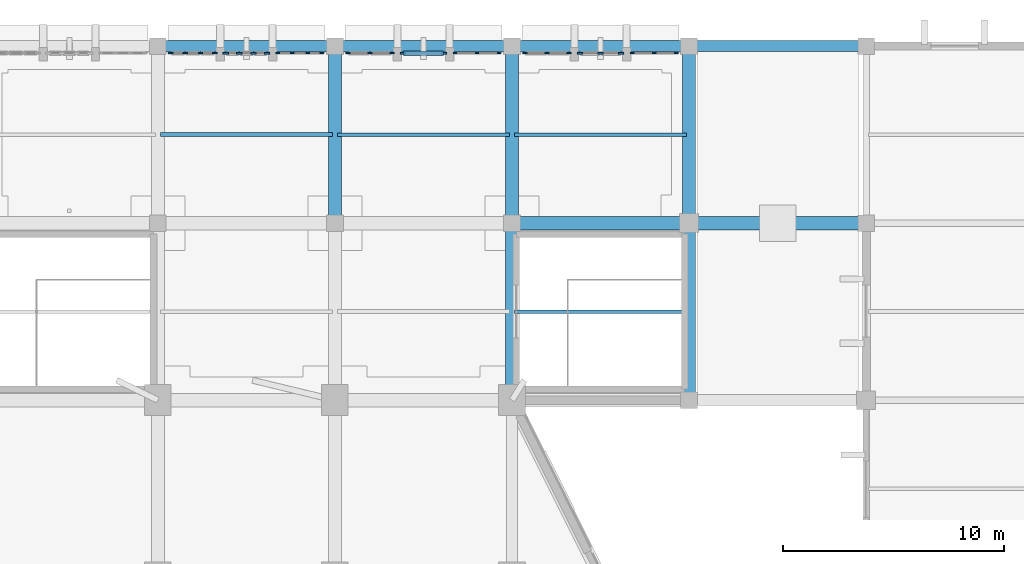
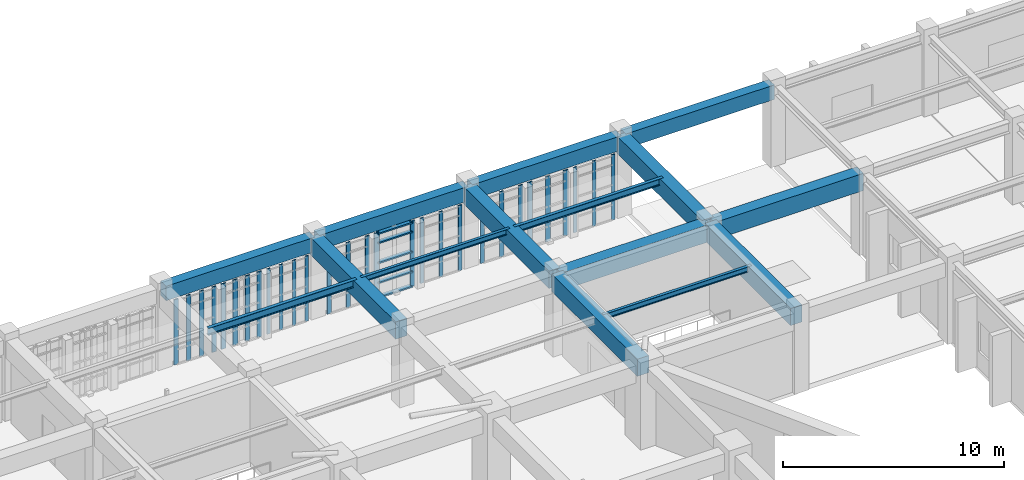
# One storey, part 33 of 155: 34 members, 15 beams, 9 elements without a shape of their own.
"""IFC4 building model written with IfcOpenShell, lengths in metres."""

from ifc_helpers import new_model, si_unit, direction, frame, origin, origin_2d, place, context, subcontext, project, spatial, rectangle, i_section, extrude, material, layer, layer_set, material_profile, profile_set, type_object, element, aggregate, save


model = new_model("IFC4")

# Units and contexts
model_context = context("Model", 3, precision=1e-05, world=origin(), true_north=direction((0.0, 1.0)))
body_context = subcontext(model_context, "Body", "Model", "MODEL_VIEW")
ifc_project = project(units=[si_unit("LENGTHUNIT", "METRE"), si_unit("AREAUNIT", "SQUARE_METRE"), si_unit("VOLUMEUNIT", "CUBIC_METRE"), si_unit("PLANEANGLEUNIT", "RADIAN"), si_unit("MASSUNIT", "GRAM", prefix="KILO")], contexts=[model_context])

# Site, building, storey
site_placement = place(None, origin())
site = spatial("IfcSite", under=ifc_project, at=site_placement, CompositionType="ELEMENT")
building_placement = place(site_placement, origin())
building = spatial("IfcBuilding", under=site, at=building_placement, Name="Tazarka Park Arena", CompositionType="ELEMENT")
storey_placement = place(building_placement, frame((0.0, 0.0, 5.39990234375)))
storey = spatial("IfcBuildingStorey", under=building, at=storey_placement, Name="L01", CompositionType="ELEMENT", Elevation=5.39990234375)

# Beams
ifc_material_1 = material(Name="Concrete C40/50", Category="concrete")
ifc_material_profile_1 = material_profile(ifc_material_1, rectangle(XDim=0.60009765625, YDim=0.949951171875, at=origin_2d()), Name="Concrete C40/50")
ifc_profile_set_1 = profile_set([ifc_material_profile_1], Name="Concrete C40/50")
beam_type_1 = type_object("IfcBeamType", Name="BM-B-03", PredefinedType="BEAM", material=ifc_profile_set_1)
for number, where, z_axis, x_axis, name in (
    (1, (104.0, 120.1201171875, 3.945068359375), (0.0, 1.0, 0.0), (-1.0, 0.0, 0.0), "GYM-L01-13-15"),
    (2, (112.0, 112.1201171875, 3.945068359375), (0.0, 1.0, 0.0), (-1.0, 0.0, 0.0), "GYM-L01-14-14"),
    (3, (112.1201171875, 120.0, 3.945068359375), (1.0, 0.0, 0.0), (0.0, 1.0, 0.0), "GXM-L01-14-15"),
    (4, (112.0, 120.1201171875, 3.945068359375), (0.0, 1.0, 0.0), (-1.0, 0.0, 0.0), "GYM-L01-14-15"),
    (5, (120.0, 112.1201171875, 3.945068359375), (0.0, 1.0, 0.0), (-1.0, 0.0, 0.0), "GYM-L01-15-14"),
    (6, (120.1201171875, 120.0, 3.945068359375), (1.0, 0.0, 0.0), (0.0, 1.0, 0.0), "GXM-L01-15-15"),
    (7, (120.0, 120.1201171875, 3.945068359375), (0.0, 1.0, 0.0), (-1.0, 0.0, 0.0), "GYM-L01-15-15"),
):
    element("IfcBeam", number, at=place(storey_placement, frame(where, z_axis=z_axis, x_axis=x_axis)), inside=storey, type_object=beam_type_1, Name=name, PredefinedType="BEAM", context=body_context, shape_type="SweptSolid", body=[
        extrude(rectangle(XDim=0.60009765625, YDim=0.949951171875, at=origin_2d()), origin(), (0.0, 0.0, 1.0), 7.759765625),
    ])
ifc_material_2 = material(Name="Steel S355", Category="steel")
ifc_material_profile_2 = material_profile(ifc_material_2, i_section(OverallWidth=0.14990234375, OverallDepth=0.300048828125, WebThickness=0.007080078125, FlangeThickness=0.0107421875, FilletRadius=0.014892578125, at=origin_2d()), Name="Steel S355")
ifc_profile_set_2 = profile_set([ifc_material_profile_2], Name="Steel S355")
beam_type_2 = type_object("IfcBeamType", Name="BM-J-01", PredefinedType="JOIST", material=ifc_profile_set_2)
for number, where, z_axis, x_axis, name in (
    (8, (104.1201171875, 124.0, 4.27001953125), (1.0, 0.0, 0.0), (0.0, 1.0, 0.0), "JST-L01-13-15"),
    (9, (112.1201171875, 116.0, 4.27001953125), (1.0, 0.0, 0.0), (0.0, 1.0, 0.0), "JST-L01-14-14"),
):
    element("IfcBeam", number, at=place(storey_placement, frame(where, z_axis=z_axis, x_axis=x_axis)), inside=storey, type_object=beam_type_2, Name=name, PredefinedType="JOIST", context=body_context, shape_type="SweptSolid", body=[
        extrude(i_section(OverallWidth=0.14990234375, OverallDepth=0.300048828125, WebThickness=0.007080078125, FlangeThickness=0.0107421875, FilletRadius=0.014892578125, at=origin_2d()), origin(), (0.0, 0.0, 1.0), 7.759765625),
    ])
ifc_material_3 = material(Name="Steel S355", Category="steel")
ifc_material_profile_3 = material_profile(ifc_material_3, i_section(OverallWidth=0.169921875, OverallDepth=0.360107421875, WebThickness=0.008056640625, FlangeThickness=0.0126953125, FilletRadius=0.01806640625, at=origin_2d()), Name="Steel S355")
ifc_profile_set_3 = profile_set([ifc_material_profile_3], Name="Steel S355")
beam_type_3 = type_object("IfcBeamType", Name="BM-J-02", PredefinedType="JOIST", material=ifc_profile_set_3)
beam_1_placement = place(storey_placement, frame((112.1201171875, 124.0, 4.239990234375), z_axis=(1.0, 0.0, 0.0), x_axis=(0.0, 1.0, 0.0)))
element("IfcBeam", 10, at=beam_1_placement, inside=storey, type_object=beam_type_3, Name="JST-L01-14-15", PredefinedType="JOIST", context=body_context, shape_type="SweptSolid", body=[
    extrude(i_section(OverallWidth=0.169921875, OverallDepth=0.360107421875, WebThickness=0.008056640625, FlangeThickness=0.0126953125, FilletRadius=0.01806640625, at=origin_2d()), origin(), (0.0, 0.0, 1.0), 7.759765625),
])
ifc_material_4 = material(Name="Steel S355", Category="steel")
ifc_material_profile_4 = material_profile(ifc_material_4, i_section(OverallWidth=0.179931640625, OverallDepth=0.39990234375, WebThickness=0.008544921875, FlangeThickness=0.013427734375, FilletRadius=0.02099609375, at=origin_2d()), Name="Steel S355")
ifc_profile_set_4 = profile_set([ifc_material_profile_4], Name="Steel S355")
beam_type_4 = type_object("IfcBeamType", Name="BM-J-03", PredefinedType="JOIST", material=ifc_profile_set_4)
beam_2_placement = place(storey_placement, frame((96.1201171875, 124.0, 4.22021484375), z_axis=(1.0, 0.0, 0.0), x_axis=(0.0, 1.0, 0.0)))
element("IfcBeam", 11, at=beam_2_placement, inside=storey, type_object=beam_type_4, Name="JST-L01-12-15", PredefinedType="JOIST", context=body_context, shape_type="SweptSolid", body=[
    extrude(i_section(OverallWidth=0.179931640625, OverallDepth=0.39990234375, WebThickness=0.008544921875, FlangeThickness=0.013427734375, FilletRadius=0.02099609375, at=origin_2d()), origin(), (0.0, 0.0, 1.0), 7.759765625),
])
ifc_material_5 = material(Name="Concrete C40/50", Category="concrete")
ifc_material_profile_5 = material_profile(ifc_material_5, rectangle(XDim=0.5, YDim=0.800048828125, at=origin_2d()), Name="Concrete C40/50")
ifc_profile_set_5 = profile_set([ifc_material_profile_5], Name="Concrete C40/50")
beam_type_5 = type_object("IfcBeamType", Name="BM-SP-01", PredefinedType="SPANDREL", material=ifc_profile_set_5)
for number, where, z_axis, x_axis, name in (
    (12, (96.1201171875, 128.0, 4.02001953125), (1.0, 0.0, 0.0), (0.0, 1.0, 0.0), "GXM-L01-12-16"),
    (13, (104.1201171875, 128.0, 4.02001953125), (1.0, 0.0, 0.0), (0.0, 1.0, 0.0), "GXM-L01-13-16"),
    (14, (112.1201171875, 128.0, 4.02001953125), (1.0, 0.0, 0.0), (0.0, 1.0, 0.0), "GXM-L01-14-16"),
    (15, (120.1201171875, 128.0, 4.02001953125), (1.0, 0.0, 0.0), (0.0, 1.0, 0.0), "GXM-L01-15-16"),
):
    element("IfcBeam", number, at=place(storey_placement, frame(where, z_axis=z_axis, x_axis=x_axis)), inside=storey, type_object=beam_type_5, Name=name, PredefinedType="SPANDREL", context=body_context, shape_type="SweptSolid", body=[
        extrude(rectangle(XDim=0.5, YDim=0.800048828125, at=origin_2d()), origin(), (0.0, 0.0, 1.0), 7.759765625),
    ])

# Curtain wall, members
ifc_material_6 = material(Name="Aluminium and low-e glass", Category="aluminium")
ifc_layer_1 = layer(ifc_material_6, 0.179931640625, Name="Aluminium and low-e glass")
ifc_layer_set_1 = layer_set([ifc_layer_1], Name="Aluminium and low-e glass")
curtain_wall_type_1 = type_object("IfcCurtainWallType", Name="CW-27", PredefinedType="NOTDEFINED", material=ifc_layer_set_1)
curtain_wall_1_placement = place(storey_placement, origin())
curtain_wall_1 = element("IfcCurtainWall", 16, at=curtain_wall_1_placement, inside=storey, type_object=curtain_wall_type_1, Name="Curtain Wall CWA-L01-027", PredefinedType="NOTDEFINED")
ifc_material_7 = material(Name="Aluminium 6060-T66", Category="aluminium")
ifc_material_profile_6 = material_profile(ifc_material_7, rectangle(XDim=0.06494140625, YDim=0.179931640625, at=origin_2d()), Name="Aluminium 6060-T66")
ifc_profile_set_6 = profile_set([ifc_material_profile_6], Name="Aluminium 6060-T66")
member_type_1 = type_object("IfcMemberType", Name="CWM-01", PredefinedType="MULLION", material=ifc_profile_set_6)
member_1_placement = place(storey_placement, frame((117.42431640625, 127.679931640625, 0.0), z_axis=(0.0, 0.0, 1.0), x_axis=(0.0, 1.0, 0.0)))
member_1 = element("IfcMember", 17, at=member_1_placement, type_object=member_type_1, Name="CW-27 mullion 1", PredefinedType="MULLION", context=body_context, shape_type="SweptSolid", body=[
    extrude(rectangle(XDim=0.06494140625, YDim=0.179931640625, at=origin_2d()), origin(), (0.0, 0.0, 1.0), 3.60009765625),
])
member_2_placement = place(storey_placement, frame((118.41845703125, 127.679931640625, 0.0), z_axis=(0.0, 0.0, 1.0), x_axis=(0.0, 1.0, 0.0)))
member_2 = element("IfcMember", 18, at=member_2_placement, type_object=member_type_1, Name="CW-27 mullion 2", PredefinedType="MULLION", context=body_context, shape_type="SweptSolid", body=[
    extrude(rectangle(XDim=0.06494140625, YDim=0.179931640625, at=origin_2d()), origin(), (0.0, 0.0, 1.0), 3.60009765625),
])
member_3_placement = place(storey_placement, frame((119.41259765625, 127.679931640625, 0.0), z_axis=(0.0, 0.0, 1.0), x_axis=(0.0, 1.0, 0.0)))
member_3 = element("IfcMember", 19, at=member_3_placement, type_object=member_type_1, Name="CW-27 mullion 3", PredefinedType="MULLION", context=body_context, shape_type="SweptSolid", body=[
    extrude(rectangle(XDim=0.06494140625, YDim=0.179931640625, at=origin_2d()), origin(), (0.0, 0.0, 1.0), 3.60009765625),
])
aggregate(curtain_wall_1, [member_1, member_2, member_3])

ifc_material_8 = material(Name="Aluminium and low-e glass", Category="aluminium")
ifc_layer_2 = layer(ifc_material_8, 0.179931640625, Name="Aluminium and low-e glass")
ifc_layer_set_2 = layer_set([ifc_layer_2], Name="Aluminium and low-e glass")
curtain_wall_type_2 = type_object("IfcCurtainWallType", Name="CW-30", PredefinedType="NOTDEFINED", material=ifc_layer_set_2)
curtain_wall_2_placement = place(storey_placement, origin())
curtain_wall_2 = element("IfcCurtainWall", 20, at=curtain_wall_2_placement, inside=storey, type_object=curtain_wall_type_2, Name="Curtain Wall CWA-L01-030", PredefinedType="NOTDEFINED")
member_4_placement = place(storey_placement, frame((109.42431640625, 127.679931640625, 0.0), z_axis=(0.0, 0.0, 1.0), x_axis=(0.0, 1.0, 0.0)))
member_4 = element("IfcMember", 21, at=member_4_placement, type_object=member_type_1, Name="CW-30 mullion 1", PredefinedType="MULLION", context=body_context, shape_type="SweptSolid", body=[
    extrude(rectangle(XDim=0.06494140625, YDim=0.179931640625, at=origin_2d()), origin(), (0.0, 0.0, 1.0), 3.60009765625),
])
member_5_placement = place(storey_placement, frame((110.41845703125, 127.679931640625, 0.0), z_axis=(0.0, 0.0, 1.0), x_axis=(0.0, 1.0, 0.0)))
member_5 = element("IfcMember", 22, at=member_5_placement, type_object=member_type_1, Name="CW-30 mullion 2", PredefinedType="MULLION", context=body_context, shape_type="SweptSolid", body=[
    extrude(rectangle(XDim=0.06494140625, YDim=0.179931640625, at=origin_2d()), origin(), (0.0, 0.0, 1.0), 3.60009765625),
])
member_6_placement = place(storey_placement, frame((111.41259765625, 127.679931640625, 0.0), z_axis=(0.0, 0.0, 1.0), x_axis=(0.0, 1.0, 0.0)))
member_6 = element("IfcMember", 23, at=member_6_placement, type_object=member_type_1, Name="CW-30 mullion 3", PredefinedType="MULLION", context=body_context, shape_type="SweptSolid", body=[
    extrude(rectangle(XDim=0.06494140625, YDim=0.179931640625, at=origin_2d()), origin(), (0.0, 0.0, 1.0), 3.60009765625),
])
aggregate(curtain_wall_2, [member_4, member_5, member_6])

ifc_material_9 = material(Name="Aluminium and low-e glass", Category="aluminium")
ifc_layer_3 = layer(ifc_material_9, 0.179931640625, Name="Aluminium and low-e glass")
ifc_layer_set_3 = layer_set([ifc_layer_3], Name="Aluminium and low-e glass")
curtain_wall_type_3 = type_object("IfcCurtainWallType", Name="CW-03", PredefinedType="NOTDEFINED", material=ifc_layer_set_3)
curtain_wall_3_placement = place(storey_placement, origin())
curtain_wall_3 = element("IfcCurtainWall", 24, at=curtain_wall_3_placement, inside=storey, type_object=curtain_wall_type_3, Name="Curtain Wall CWA-L01-033", PredefinedType="NOTDEFINED")
member_7_placement = place(storey_placement, frame((101.42431640625, 127.679931640625, 0.0), z_axis=(0.0, 0.0, 1.0), x_axis=(0.0, 1.0, 0.0)))
member_7 = element("IfcMember", 25, at=member_7_placement, type_object=member_type_1, Name="CW-03 mullion 1", PredefinedType="MULLION", context=body_context, shape_type="SweptSolid", body=[
    extrude(rectangle(XDim=0.06494140625, YDim=0.179931640625, at=origin_2d()), origin(), (0.0, 0.0, 1.0), 3.60009765625),
])
member_8_placement = place(storey_placement, frame((102.076171875, 127.679931640625, 0.0), z_axis=(0.0, 0.0, 1.0), x_axis=(0.0, 1.0, 0.0)))
member_8 = element("IfcMember", 26, at=member_8_placement, type_object=member_type_1, Name="CW-03 mullion 2", PredefinedType="MULLION", context=body_context, shape_type="SweptSolid", body=[
    extrude(rectangle(XDim=0.06494140625, YDim=0.179931640625, at=origin_2d()), origin(), (0.0, 0.0, 1.0), 3.60009765625),
])
member_9_placement = place(storey_placement, frame((102.760498046875, 127.679931640625, 0.0), z_axis=(0.0, 0.0, 1.0), x_axis=(0.0, 1.0, 0.0)))
member_9 = element("IfcMember", 27, at=member_9_placement, type_object=member_type_1, Name="CW-03 mullion 3", PredefinedType="MULLION", context=body_context, shape_type="SweptSolid", body=[
    extrude(rectangle(XDim=0.06494140625, YDim=0.179931640625, at=origin_2d()), origin(), (0.0, 0.0, 1.0), 3.60009765625),
])
member_10_placement = place(storey_placement, frame((103.41259765625, 127.679931640625, 0.0), z_axis=(0.0, 0.0, 1.0), x_axis=(0.0, 1.0, 0.0)))
member_10 = element("IfcMember", 28, at=member_10_placement, type_object=member_type_1, Name="CW-03 mullion 4", PredefinedType="MULLION", context=body_context, shape_type="SweptSolid", body=[
    extrude(rectangle(XDim=0.06494140625, YDim=0.179931640625, at=origin_2d()), origin(), (0.0, 0.0, 1.0), 3.60009765625),
])
aggregate(curtain_wall_3, [member_7, member_8, member_9, member_10])

ifc_material_10 = material(Name="Aluminium and low-e glass", Category="aluminium")
ifc_layer_4 = layer(ifc_material_10, 0.179931640625, Name="Aluminium and low-e glass")
ifc_layer_set_4 = layer_set([ifc_layer_4], Name="Aluminium and low-e glass")
curtain_wall_type_4 = type_object("IfcCurtainWallType", Name="CW-25", PredefinedType="NOTDEFINED", material=ifc_layer_set_4)
curtain_wall_4_placement = place(storey_placement, origin())
curtain_wall_4 = element("IfcCurtainWall", 29, at=curtain_wall_4_placement, inside=storey, type_object=curtain_wall_type_4, Name="Curtain Wall CWA-L01-025", PredefinedType="NOTDEFINED")
ifc_material_11 = material(Name="Aluminium 6060-T66", Category="aluminium")
ifc_material_profile_7 = material_profile(ifc_material_11, rectangle(XDim=0.06494140625, YDim=0.219970703125, at=origin_2d()), Name="Aluminium 6060-T66")
ifc_profile_set_7 = profile_set([ifc_material_profile_7], Name="Aluminium 6060-T66")
member_type_2 = type_object("IfcMemberType", Name="CWM-02", PredefinedType="MULLION", material=ifc_profile_set_7)
member_11_placement = place(storey_placement, frame((112.58740234375, 127.679931640625, 0.0), z_axis=(0.0, 0.0, 1.0), x_axis=(0.0, 1.0, 0.0)))
member_11 = element("IfcMember", 30, at=member_11_placement, type_object=member_type_2, Name="CW-25 mullion 1", PredefinedType="MULLION", context=body_context, shape_type="SweptSolid", body=[
    extrude(rectangle(XDim=0.06494140625, YDim=0.219970703125, at=origin_2d()), origin(), (0.0, 0.0, 1.0), 3.60009765625),
])
member_12_placement = place(storey_placement, frame((113.58154296875, 127.679931640625, 0.0), z_axis=(0.0, 0.0, 1.0), x_axis=(0.0, 1.0, 0.0)))
member_12 = element("IfcMember", 31, at=member_12_placement, type_object=member_type_2, Name="CW-25 mullion 2", PredefinedType="MULLION", context=body_context, shape_type="SweptSolid", body=[
    extrude(rectangle(XDim=0.06494140625, YDim=0.219970703125, at=origin_2d()), origin(), (0.0, 0.0, 1.0), 3.60009765625),
])
member_13_placement = place(storey_placement, frame((114.57568359375, 127.679931640625, 0.0), z_axis=(0.0, 0.0, 1.0), x_axis=(0.0, 1.0, 0.0)))
member_13 = element("IfcMember", 32, at=member_13_placement, type_object=member_type_2, Name="CW-25 mullion 3", PredefinedType="MULLION", context=body_context, shape_type="SweptSolid", body=[
    extrude(rectangle(XDim=0.06494140625, YDim=0.219970703125, at=origin_2d()), origin(), (0.0, 0.0, 1.0), 3.60009765625),
])
aggregate(curtain_wall_4, [member_11, member_12, member_13])

ifc_material_12 = material(Name="Aluminium and low-e glass", Category="aluminium")
ifc_layer_5 = layer(ifc_material_12, 0.179931640625, Name="Aluminium and low-e glass")
ifc_layer_set_5 = layer_set([ifc_layer_5], Name="Aluminium and low-e glass")
curtain_wall_type_5 = type_object("IfcCurtainWallType", Name="CW-28", PredefinedType="NOTDEFINED", material=ifc_layer_set_5)
curtain_wall_5_placement = place(storey_placement, origin())
curtain_wall_5 = element("IfcCurtainWall", 33, at=curtain_wall_5_placement, inside=storey, type_object=curtain_wall_type_5, Name="Curtain Wall CWA-L01-028", PredefinedType="NOTDEFINED")
member_14_placement = place(storey_placement, frame((104.58740234375, 127.679931640625, 0.0), z_axis=(0.0, 0.0, 1.0), x_axis=(0.0, 1.0, 0.0)))
member_14 = element("IfcMember", 34, at=member_14_placement, type_object=member_type_2, Name="CW-28 mullion 1", PredefinedType="MULLION", context=body_context, shape_type="SweptSolid", body=[
    extrude(rectangle(XDim=0.06494140625, YDim=0.219970703125, at=origin_2d()), origin(), (0.0, 0.0, 1.0), 3.60009765625),
])
member_15_placement = place(storey_placement, frame((105.58154296875, 127.679931640625, 0.0), z_axis=(0.0, 0.0, 1.0), x_axis=(0.0, 1.0, 0.0)))
member_15 = element("IfcMember", 35, at=member_15_placement, type_object=member_type_2, Name="CW-28 mullion 2", PredefinedType="MULLION", context=body_context, shape_type="SweptSolid", body=[
    extrude(rectangle(XDim=0.06494140625, YDim=0.219970703125, at=origin_2d()), origin(), (0.0, 0.0, 1.0), 3.60009765625),
])
member_16_placement = place(storey_placement, frame((106.57568359375, 127.679931640625, 0.0), z_axis=(0.0, 0.0, 1.0), x_axis=(0.0, 1.0, 0.0)))
member_16 = element("IfcMember", 36, at=member_16_placement, type_object=member_type_2, Name="CW-28 mullion 3", PredefinedType="MULLION", context=body_context, shape_type="SweptSolid", body=[
    extrude(rectangle(XDim=0.06494140625, YDim=0.219970703125, at=origin_2d()), origin(), (0.0, 0.0, 1.0), 3.60009765625),
])
aggregate(curtain_wall_5, [member_14, member_15, member_16])

ifc_material_13 = material(Name="Aluminium and low-e glass", Category="aluminium")
ifc_layer_6 = layer(ifc_material_13, 0.179931640625, Name="Aluminium and low-e glass")
ifc_layer_set_6 = layer_set([ifc_layer_6], Name="Aluminium and low-e glass")
curtain_wall_type_6 = type_object("IfcCurtainWallType", Name="CW-01", PredefinedType="NOTDEFINED", material=ifc_layer_set_6)
curtain_wall_6_placement = place(storey_placement, origin())
curtain_wall_6 = element("IfcCurtainWall", 37, at=curtain_wall_6_placement, inside=storey, type_object=curtain_wall_type_6, Name="Curtain Wall CWA-L01-031", PredefinedType="NOTDEFINED")
member_17_placement = place(storey_placement, frame((96.58740234375, 127.679931640625, 0.0), z_axis=(0.0, 0.0, 1.0), x_axis=(0.0, 1.0, 0.0)))
member_17 = element("IfcMember", 38, at=member_17_placement, type_object=member_type_2, Name="CW-01 mullion 1", PredefinedType="MULLION", context=body_context, shape_type="SweptSolid", body=[
    extrude(rectangle(XDim=0.06494140625, YDim=0.219970703125, at=origin_2d()), origin(), (0.0, 0.0, 1.0), 3.60009765625),
])
member_18_placement = place(storey_placement, frame((97.239501953125, 127.679931640625, 0.0), z_axis=(0.0, 0.0, 1.0), x_axis=(0.0, 1.0, 0.0)))
member_18 = element("IfcMember", 39, at=member_18_placement, type_object=member_type_2, Name="CW-01 mullion 2", PredefinedType="MULLION", context=body_context, shape_type="SweptSolid", body=[
    extrude(rectangle(XDim=0.06494140625, YDim=0.219970703125, at=origin_2d()), origin(), (0.0, 0.0, 1.0), 3.60009765625),
])
member_19_placement = place(storey_placement, frame((97.923828125, 127.679931640625, 0.0), z_axis=(0.0, 0.0, 1.0), x_axis=(0.0, 1.0, 0.0)))
member_19 = element("IfcMember", 40, at=member_19_placement, type_object=member_type_2, Name="CW-01 mullion 3", PredefinedType="MULLION", context=body_context, shape_type="SweptSolid", body=[
    extrude(rectangle(XDim=0.06494140625, YDim=0.219970703125, at=origin_2d()), origin(), (0.0, 0.0, 1.0), 3.60009765625),
])
member_20_placement = place(storey_placement, frame((98.57568359375, 127.679931640625, 0.0), z_axis=(0.0, 0.0, 1.0), x_axis=(0.0, 1.0, 0.0)))
member_20 = element("IfcMember", 41, at=member_20_placement, type_object=member_type_2, Name="CW-01 mullion 4", PredefinedType="MULLION", context=body_context, shape_type="SweptSolid", body=[
    extrude(rectangle(XDim=0.06494140625, YDim=0.219970703125, at=origin_2d()), origin(), (0.0, 0.0, 1.0), 3.60009765625),
])
aggregate(curtain_wall_6, [member_17, member_18, member_19, member_20])

ifc_material_14 = material(Name="Aluminium and low-e glass", Category="aluminium")
ifc_layer_7 = layer(ifc_material_14, 0.179931640625, Name="Aluminium and low-e glass")
ifc_layer_set_7 = layer_set([ifc_layer_7], Name="Aluminium and low-e glass")
curtain_wall_type_7 = type_object("IfcCurtainWallType", Name="CW-26", PredefinedType="NOTDEFINED", material=ifc_layer_set_7)
curtain_wall_7_placement = place(storey_placement, origin())
curtain_wall_7 = element("IfcCurtainWall", 42, at=curtain_wall_7_placement, inside=storey, type_object=curtain_wall_type_7, Name="Curtain Wall CWA-L01-026", PredefinedType="NOTDEFINED")
ifc_material_15 = material(Name="Aluminium 6060-T66", Category="aluminium")
ifc_material_profile_8 = material_profile(ifc_material_15, rectangle(XDim=0.074951171875, YDim=0.25, at=origin_2d()), Name="Aluminium 6060-T66")
ifc_profile_set_8 = profile_set([ifc_material_profile_8], Name="Aluminium 6060-T66")
member_type_3 = type_object("IfcMemberType", Name="CWM-03", PredefinedType="MULLION", material=ifc_profile_set_8)
member_21_placement = place(storey_placement, frame((115.06591796875, 127.679931640625, 0.0), z_axis=(0.0, 0.0, 1.0), x_axis=(0.0, 1.0, 0.0)))
member_21 = element("IfcMember", 43, at=member_21_placement, type_object=member_type_3, Name="CW-26 mullion 1", PredefinedType="MULLION", context=body_context, shape_type="SweptSolid", body=[
    extrude(rectangle(XDim=0.074951171875, YDim=0.25, at=origin_2d()), origin(), (0.0, 0.0, 1.0), 3.60009765625),
])
member_22_placement = place(storey_placement, frame((116.0, 127.679931640625, 0.0), z_axis=(0.0, 0.0, 1.0), x_axis=(0.0, 1.0, 0.0)))
member_22 = element("IfcMember", 44, at=member_22_placement, type_object=member_type_3, Name="CW-26 mullion 2", PredefinedType="MULLION", context=body_context, shape_type="SweptSolid", body=[
    extrude(rectangle(XDim=0.074951171875, YDim=0.25, at=origin_2d()), origin(), (0.0, 0.0, 1.0), 3.60009765625),
])
member_23_placement = place(storey_placement, frame((116.93408203125, 127.679931640625, 0.0), z_axis=(0.0, 0.0, 1.0), x_axis=(0.0, 1.0, 0.0)))
member_23 = element("IfcMember", 45, at=member_23_placement, type_object=member_type_3, Name="CW-26 mullion 3", PredefinedType="MULLION", context=body_context, shape_type="SweptSolid", body=[
    extrude(rectangle(XDim=0.074951171875, YDim=0.25, at=origin_2d()), origin(), (0.0, 0.0, 1.0), 3.60009765625),
])
aggregate(curtain_wall_7, [member_21, member_22, member_23])

ifc_material_16 = material(Name="Aluminium and low-e glass", Category="aluminium")
ifc_layer_8 = layer(ifc_material_16, 0.179931640625, Name="Aluminium and low-e glass")
ifc_layer_set_8 = layer_set([ifc_layer_8], Name="Aluminium and low-e glass")
curtain_wall_type_8 = type_object("IfcCurtainWallType", Name="CW-29", PredefinedType="NOTDEFINED", material=ifc_layer_set_8)
curtain_wall_8_placement = place(storey_placement, origin())
curtain_wall_8 = element("IfcCurtainWall", 46, at=curtain_wall_8_placement, inside=storey, type_object=curtain_wall_type_8, Name="Curtain Wall CWA-L01-029", PredefinedType="NOTDEFINED")
member_24_placement = place(storey_placement, frame((107.06591796875, 127.679931640625, 0.0), z_axis=(0.0, 0.0, 1.0), x_axis=(0.0, 1.0, 0.0)))
member_24 = element("IfcMember", 47, at=member_24_placement, type_object=member_type_3, Name="CW-29 mullion 1", PredefinedType="MULLION", context=body_context, shape_type="SweptSolid", body=[
    extrude(rectangle(XDim=0.074951171875, YDim=0.25, at=origin_2d()), origin(), (0.0, 0.0, 1.0), 3.60009765625),
])
member_25_placement = place(storey_placement, frame((108.93408203125, 127.679931640625, 0.0), z_axis=(0.0, 0.0, 1.0), x_axis=(0.0, 1.0, 0.0)))
member_25 = element("IfcMember", 48, at=member_25_placement, type_object=member_type_3, Name="CW-29 mullion 2", PredefinedType="MULLION", context=body_context, shape_type="SweptSolid", body=[
    extrude(rectangle(XDim=0.074951171875, YDim=0.25, at=origin_2d()), origin(), (0.0, 0.0, 1.0), 3.60009765625),
])

ifc_material_17 = material(Name="Aluminium and low-e glass", Category="aluminium")
ifc_layer_9 = layer(ifc_material_17, 0.179931640625, Name="Aluminium and low-e glass")
ifc_layer_set_9 = layer_set([ifc_layer_9], Name="Aluminium and low-e glass")
curtain_wall_type_9 = type_object("IfcCurtainWallType", Name="CW-02", PredefinedType="NOTDEFINED", material=ifc_layer_set_9)
curtain_wall_9_placement = place(storey_placement, origin())
curtain_wall_9 = element("IfcCurtainWall", 49, at=curtain_wall_9_placement, inside=storey, type_object=curtain_wall_type_9, Name="Curtain Wall CWA-L01-032", PredefinedType="NOTDEFINED")
member_26_placement = place(storey_placement, frame((99.06591796875, 127.679931640625, 0.0), z_axis=(0.0, 0.0, 1.0), x_axis=(0.0, 1.0, 0.0)))
member_26 = element("IfcMember", 50, at=member_26_placement, type_object=member_type_3, Name="CW-02 mullion 1", PredefinedType="MULLION", context=body_context, shape_type="SweptSolid", body=[
    extrude(rectangle(XDim=0.074951171875, YDim=0.25, at=origin_2d()), origin(), (0.0, 0.0, 1.0), 3.60009765625),
])
member_27_placement = place(storey_placement, frame((99.676025390625, 127.679931640625, 0.0), z_axis=(0.0, 0.0, 1.0), x_axis=(0.0, 1.0, 0.0)))
member_27 = element("IfcMember", 51, at=member_27_placement, type_object=member_type_3, Name="CW-02 mullion 2", PredefinedType="MULLION", context=body_context, shape_type="SweptSolid", body=[
    extrude(rectangle(XDim=0.074951171875, YDim=0.25, at=origin_2d()), origin(), (0.0, 0.0, 1.0), 3.60009765625),
])
member_28_placement = place(storey_placement, frame((100.323974609375, 127.679931640625, 0.0), z_axis=(0.0, 0.0, 1.0), x_axis=(0.0, 1.0, 0.0)))
member_28 = element("IfcMember", 52, at=member_28_placement, type_object=member_type_3, Name="CW-02 mullion 3", PredefinedType="MULLION", context=body_context, shape_type="SweptSolid", body=[
    extrude(rectangle(XDim=0.074951171875, YDim=0.25, at=origin_2d()), origin(), (0.0, 0.0, 1.0), 3.60009765625),
])
member_29_placement = place(storey_placement, frame((100.93408203125, 127.679931640625, 0.0), z_axis=(0.0, 0.0, 1.0), x_axis=(0.0, 1.0, 0.0)))
member_29 = element("IfcMember", 53, at=member_29_placement, type_object=member_type_3, Name="CW-02 mullion 4", PredefinedType="MULLION", context=body_context, shape_type="SweptSolid", body=[
    extrude(rectangle(XDim=0.074951171875, YDim=0.25, at=origin_2d()), origin(), (0.0, 0.0, 1.0), 3.60009765625),
])
aggregate(curtain_wall_9, [member_26, member_27, member_28, member_29])

# Member
ifc_material_18 = material(Name="Aluminium 6060-T66", Category="aluminium")
ifc_material_profile_9 = material_profile(ifc_material_18, rectangle(XDim=0.2099609375, YDim=0.074951171875, at=origin_2d()), Name="Aluminium 6060-T66")
ifc_profile_set_9 = profile_set([ifc_material_profile_9], Name="Aluminium 6060-T66")
member_type_4 = type_object("IfcMemberType", Name="CWT-03", PredefinedType="USERDEFINED", material=ifc_profile_set_9)
member_30_placement = place(storey_placement, frame((107.103271484375, 127.679931640625, 0.03759765625), z_axis=(1.0, 0.0, 0.0), x_axis=(0.0, 1.0, 0.0)))
member_30 = element("IfcMember", 54, at=member_30_placement, type_object=member_type_4, Name="CW-29 transom 1.1", ObjectType="TRANSOM", PredefinedType="USERDEFINED", context=body_context, shape_type="SweptSolid", body=[
    extrude(rectangle(XDim=0.2099609375, YDim=0.074951171875, at=origin_2d()), origin(), (0.0, 0.0, 1.0), 1.79345703125),
])

member_31_placement = place(storey_placement, frame((107.103271484375, 127.679931640625, 0.85009765625), z_axis=(1.0, 0.0, 0.0), x_axis=(0.0, 1.0, 0.0)))
member_31 = element("IfcMember", 55, at=member_31_placement, type_object=member_type_4, Name="CW-29 transom 1.2", ObjectType="TRANSOM", PredefinedType="USERDEFINED", context=body_context, shape_type="SweptSolid", body=[
    extrude(rectangle(XDim=0.2099609375, YDim=0.074951171875, at=origin_2d()), origin(), (0.0, 0.0, 1.0), 1.79345703125),
])

member_32_placement = place(storey_placement, frame((107.103271484375, 127.679931640625, 1.9501953125), z_axis=(1.0, 0.0, 0.0), x_axis=(0.0, 1.0, 0.0)))
member_32 = element("IfcMember", 56, at=member_32_placement, type_object=member_type_4, Name="CW-29 transom 1.3", ObjectType="TRANSOM", PredefinedType="USERDEFINED", context=body_context, shape_type="SweptSolid", body=[
    extrude(rectangle(XDim=0.2099609375, YDim=0.074951171875, at=origin_2d()), origin(), (0.0, 0.0, 1.0), 1.79345703125),
])

member_33_placement = place(storey_placement, frame((107.103271484375, 127.679931640625, 3.050048828125), z_axis=(1.0, 0.0, 0.0), x_axis=(0.0, 1.0, 0.0)))
member_33 = element("IfcMember", 57, at=member_33_placement, type_object=member_type_4, Name="CW-29 transom 1.4", ObjectType="TRANSOM", PredefinedType="USERDEFINED", context=body_context, shape_type="SweptSolid", body=[
    extrude(rectangle(XDim=0.2099609375, YDim=0.074951171875, at=origin_2d()), origin(), (0.0, 0.0, 1.0), 1.79345703125),
])

member_34_placement = place(storey_placement, frame((107.103271484375, 127.679931640625, 3.5625), z_axis=(1.0, 0.0, 0.0), x_axis=(0.0, 1.0, 0.0)))
member_34 = element("IfcMember", 58, at=member_34_placement, type_object=member_type_4, Name="CW-29 transom 1.5", ObjectType="TRANSOM", PredefinedType="USERDEFINED", context=body_context, shape_type="SweptSolid", body=[
    extrude(rectangle(XDim=0.2099609375, YDim=0.074951171875, at=origin_2d()), origin(), (0.0, 0.0, 1.0), 1.79345703125),
])

aggregate(curtain_wall_8, [member_24, member_25, member_30, member_31, member_32, member_33, member_34])

save(model, "model.ifc")
